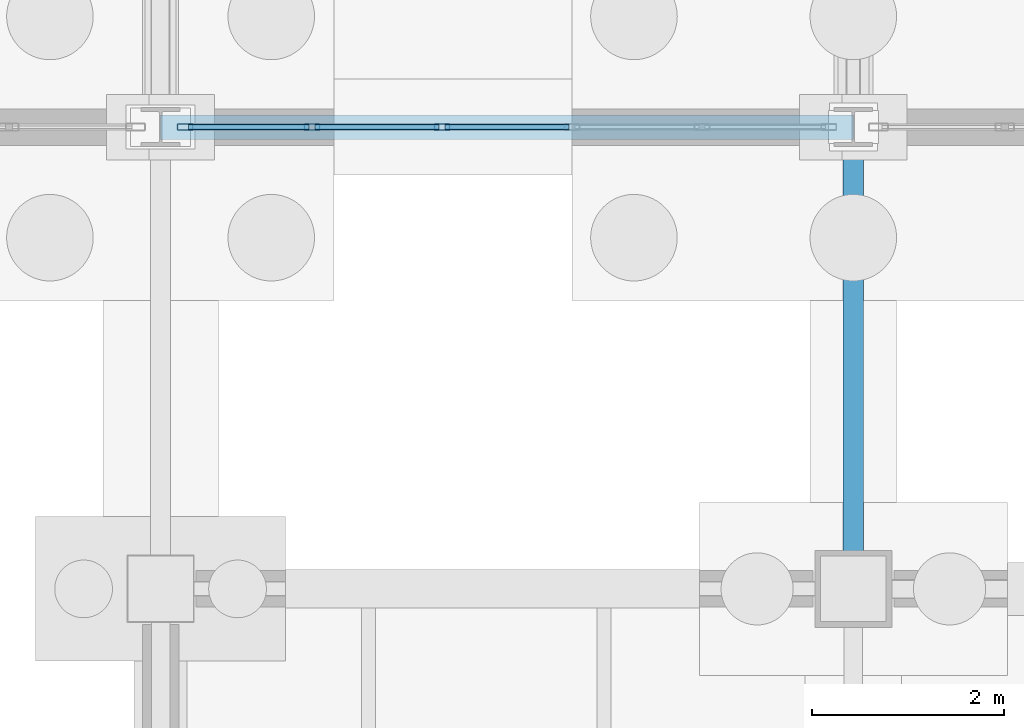
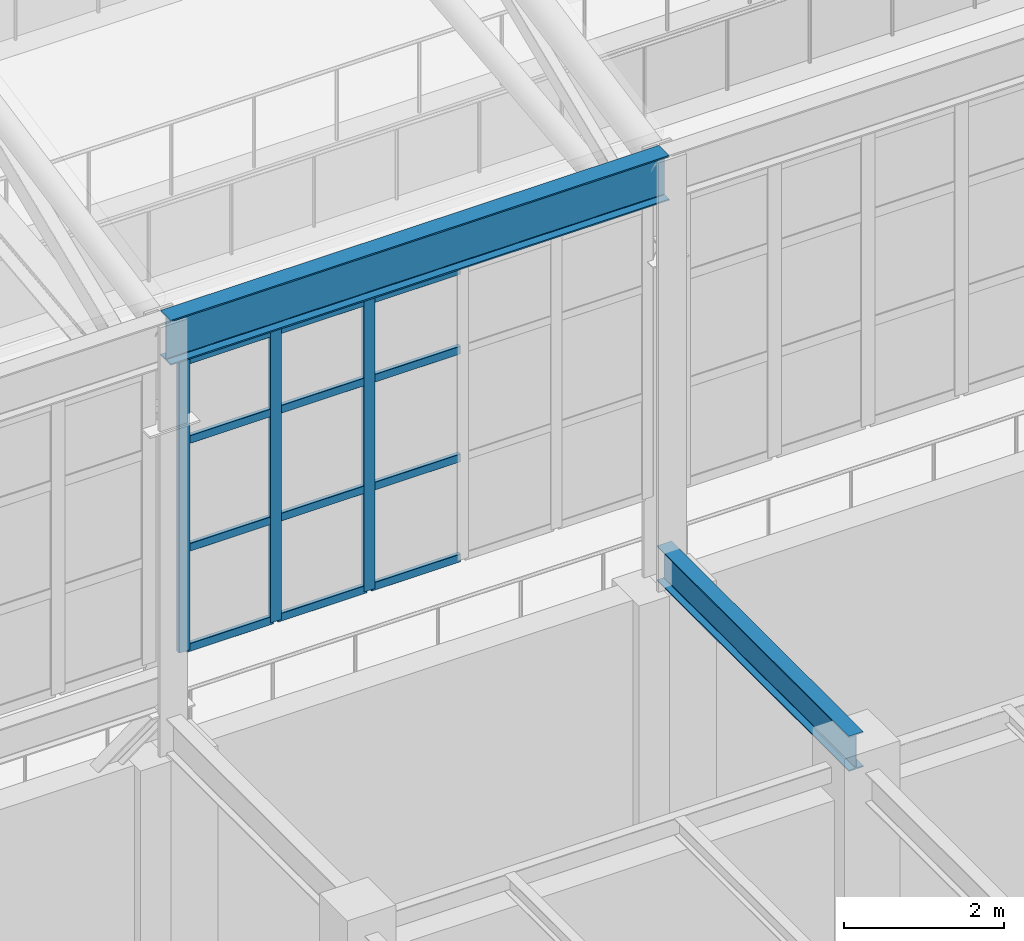
# One storey, part 136 of 293: 15 members, 2 beams, 1 element without a shape of its own.
"""IFC4 building model written with IfcOpenShell, lengths in metres."""

from ifc_helpers import new_model, si_unit, direction, frame, origin, origin_2d, place, context, subcontext, project, spatial, hollow_rectangle, i_section, extrude, material, layer, layer_set, material_profile, profile_set, type_object, element, aggregate, save


model = new_model("IFC4")

# Units and contexts
model_context = context("Model", 3, precision=1e-05, world=origin(), true_north=direction((0.0, 1.0)))
body_context = subcontext(model_context, "Body", "Model", "MODEL_VIEW")
ifc_project = project(units=[si_unit("LENGTHUNIT", "METRE"), si_unit("AREAUNIT", "SQUARE_METRE"), si_unit("VOLUMEUNIT", "CUBIC_METRE"), si_unit("PLANEANGLEUNIT", "RADIAN"), si_unit("MASSUNIT", "GRAM", prefix="KILO")], contexts=[model_context])

# Site, building, storey
site_placement = place(None, origin())
site = spatial("IfcSite", under=ifc_project, at=site_placement, CompositionType="ELEMENT")
building_placement = place(site_placement, origin())
building = spatial("IfcBuilding", under=site, at=building_placement, Name="Kemerveld Promenade Tramway Depot", CompositionType="ELEMENT")
storey_placement = place(building_placement, origin())
storey = spatial("IfcBuildingStorey", under=building, at=storey_placement, Name="L00", CompositionType="ELEMENT", Elevation=0.0)

# Beams
ifc_material_1 = material(Name="Steel S355", Category="steel")
ifc_material_profile_1 = material_profile(ifc_material_1, i_section(OverallWidth=0.25439453125, OverallDepth=0.6875, WebThickness=0.01318359375, FlangeThickness=0.02099609375, FilletRadius=0.01513671875, at=origin_2d()), Name="686x254x152 UB")
ifc_profile_set_1 = profile_set([ifc_material_profile_1], Name="Steel S355")
beam_type_1 = type_object("IfcBeamType", Name="BM-G03", PredefinedType="BEAM", material=ifc_profile_set_1)
beam_1_placement = place(storey_placement, frame((115.199951171875, 84.0, 11.056396484375), z_axis=(1.0, 0.0, 0.0), x_axis=(0.0, 1.0, 0.0)))
element("IfcBeam", 1, at=beam_1_placement, inside=storey, type_object=beam_type_1, Name="BM-SHED-EAVE-N-17", PredefinedType="BEAM", context=body_context, shape_type="SweptSolid", body=[
    extrude(i_section(OverallWidth=0.25439453125, OverallDepth=0.6875, WebThickness=0.01318359375, FlangeThickness=0.02099609375, FilletRadius=0.01513671875, at=origin_2d()), origin(), (0.0, 0.0, 1.0), 7.199951171875),
])
ifc_material_profile_2 = material_profile(ifc_material_1, i_section(OverallWidth=0.2099609375, OverallDepth=0.53662109375, WebThickness=0.0107421875, FlangeThickness=0.017333984375, FilletRadius=0.0126953125, at=origin_2d()), Name="533x210x101 UB")
ifc_profile_set_2 = profile_set([ifc_material_profile_2], Name="Steel S355")
beam_type_2 = type_object("IfcBeamType", Name="BM-G05", PredefinedType="BEAM", material=ifc_profile_set_2)
beam_2_placement = place(storey_placement, frame((122.39990234375, 79.199951171875, 5.131591796875), z_axis=(0.0, 1.0, 0.0), x_axis=(-1.0, 0.0, 0.0)))
element("IfcBeam", 2, at=beam_2_placement, inside=storey, type_object=beam_type_2, Name="BM-LINK-18-MN", PredefinedType="BEAM", context=body_context, shape_type="SweptSolid", body=[
    extrude(i_section(OverallWidth=0.2099609375, OverallDepth=0.53662109375, WebThickness=0.0107421875, FlangeThickness=0.017333984375, FilletRadius=0.0126953125, at=origin_2d()), origin(), (0.0, 0.0, 1.0), 4.800048828125),
])

# Curtain wall, members
ifc_material_2 = material(Name="Bronze anodised aluminium and solar glass", Category="aluminium")
ifc_layer = layer(ifc_material_2, 0.159912109375)
ifc_layer_set = layer_set([ifc_layer], Name="CW-SYS-01")
curtain_wall_type = type_object("IfcCurtainWallType", Name="CW-SYS-01", PredefinedType="USERDEFINED", material=ifc_layer_set)
curtain_wall_placement = place(storey_placement, origin())
curtain_wall = element("IfcCurtainWall", 3, at=curtain_wall_placement, inside=storey, type_object=curtain_wall_type, Name="CW-V1-S-12", ObjectType="GLAZED_CURTAIN_WALL", PredefinedType="USERDEFINED")
ifc_material_3 = material(Name="Bronze anodised aluminium", Category="aluminium")
ifc_material_profile_3 = material_profile(ifc_material_3, hollow_rectangle(XDim=0.06494140625, YDim=0.159912109375, WallThickness=0.00390625, InnerFilletRadius=0.001953125, OuterFilletRadius=0.00390625, at=origin_2d()), Name="CW-MUL-160x65")
ifc_profile_set_3 = profile_set([ifc_material_profile_3], Name="Bronze anodised aluminium")
member_type_1 = type_object("IfcMemberType", Name="CW-MUL-A", PredefinedType="MULLION", material=ifc_profile_set_3)
member_1_placement = place(storey_placement, frame((118.124755859375, 84.0, 6.199951171875), z_axis=(0.0, 0.0, 1.0), x_axis=(0.0, -1.0, 0.0)))
member_1 = element("IfcMember", 4, at=member_1_placement, type_object=member_type_1, Name="CW01 mullion 4", PredefinedType="MULLION", context=body_context, shape_type="SweptSolid", body=[
    extrude(hollow_rectangle(XDim=0.06494140625, YDim=0.159912109375, WallThickness=0.00390625, InnerFilletRadius=0.001953125, OuterFilletRadius=0.00390625, at=origin_2d()), origin(), (0.0, 0.0, 1.0), 4.449951171875),
])
member_2_placement = place(storey_placement, frame((116.77392578125, 84.0, 6.199951171875), z_axis=(0.0, 0.0, 1.0), x_axis=(0.0, -1.0, 0.0)))
member_2 = element("IfcMember", 5, at=member_2_placement, type_object=member_type_1, Name="CW01 mullion 5", PredefinedType="MULLION", context=body_context, shape_type="SweptSolid", body=[
    extrude(hollow_rectangle(XDim=0.06494140625, YDim=0.159912109375, WallThickness=0.00390625, InnerFilletRadius=0.001953125, OuterFilletRadius=0.00390625, at=origin_2d()), origin(), (0.0, 0.0, 1.0), 4.449951171875),
])
member_3_placement = place(storey_placement, frame((115.455810546875, 84.0, 6.199951171875), z_axis=(0.0, 0.0, 1.0), x_axis=(0.0, -1.0, 0.0)))
member_3 = element("IfcMember", 6, at=member_3_placement, type_object=member_type_1, Name="CW01 mullion 6", PredefinedType="MULLION", context=body_context, shape_type="SweptSolid", body=[
    extrude(hollow_rectangle(XDim=0.06494140625, YDim=0.159912109375, WallThickness=0.00390625, InnerFilletRadius=0.001953125, OuterFilletRadius=0.00390625, at=origin_2d()), origin(), (0.0, 0.0, 1.0), 4.449951171875),
])
ifc_material_profile_4 = material_profile(ifc_material_3, hollow_rectangle(XDim=0.06005859375, YDim=0.1201171875, WallThickness=0.00390625, InnerFilletRadius=0.001953125, OuterFilletRadius=0.00390625, at=origin_2d()), Name="CW-TRN-120x60")
ifc_profile_set_4 = profile_set([ifc_material_profile_4], Name="Bronze anodised aluminium")
member_type_2 = type_object("IfcMemberType", Name="CW-TRN-A", PredefinedType="USERDEFINED", material=ifc_profile_set_4)
member_4_placement = place(storey_placement, frame((119.44287109375, 84.0, 6.22998046875), z_axis=(-1.0, 0.0, 0.0), x_axis=(0.0, -1.0, 0.0)))
member_4 = element("IfcMember", 7, at=member_4_placement, type_object=member_type_2, Name="CW01 transom 3.1", ObjectType="TRANSOM", PredefinedType="USERDEFINED", context=body_context, shape_type="SweptSolid", body=[
    extrude(hollow_rectangle(XDim=0.06005859375, YDim=0.1201171875, WallThickness=0.00390625, InnerFilletRadius=0.001953125, OuterFilletRadius=0.00390625, at=origin_2d()), origin(), (0.0, 0.0, 1.0), 1.28564453125),
])
member_5_placement = place(storey_placement, frame((119.44287109375, 84.0, 7.758056640625), z_axis=(-1.0, 0.0, 0.0), x_axis=(0.0, -1.0, 0.0)))
member_5 = element("IfcMember", 8, at=member_5_placement, type_object=member_type_2, Name="CW01 transom 3.2", ObjectType="TRANSOM", PredefinedType="USERDEFINED", context=body_context, shape_type="SweptSolid", body=[
    extrude(hollow_rectangle(XDim=0.06005859375, YDim=0.1201171875, WallThickness=0.00390625, InnerFilletRadius=0.001953125, OuterFilletRadius=0.00390625, at=origin_2d()), origin(), (0.0, 0.0, 1.0), 1.28564453125),
])
member_6_placement = place(storey_placement, frame((119.44287109375, 84.0, 9.404052734375), z_axis=(-1.0, 0.0, 0.0), x_axis=(0.0, -1.0, 0.0)))
member_6 = element("IfcMember", 9, at=member_6_placement, type_object=member_type_2, Name="CW01 transom 3.3", ObjectType="TRANSOM", PredefinedType="USERDEFINED", context=body_context, shape_type="SweptSolid", body=[
    extrude(hollow_rectangle(XDim=0.06005859375, YDim=0.1201171875, WallThickness=0.00390625, InnerFilletRadius=0.001953125, OuterFilletRadius=0.00390625, at=origin_2d()), origin(), (0.0, 0.0, 1.0), 1.28564453125),
])
member_7_placement = place(storey_placement, frame((119.44287109375, 84.0, 10.6201171875), z_axis=(-1.0, 0.0, 0.0), x_axis=(0.0, -1.0, 0.0)))
member_7 = element("IfcMember", 10, at=member_7_placement, type_object=member_type_2, Name="CW01 transom 3.4", ObjectType="TRANSOM", PredefinedType="USERDEFINED", context=body_context, shape_type="SweptSolid", body=[
    extrude(hollow_rectangle(XDim=0.06005859375, YDim=0.1201171875, WallThickness=0.00390625, InnerFilletRadius=0.001953125, OuterFilletRadius=0.00390625, at=origin_2d()), origin(), (0.0, 0.0, 1.0), 1.28564453125),
])
member_8_placement = place(storey_placement, frame((118.092041015625, 84.0, 6.22998046875), z_axis=(-1.0, 0.0, 0.0), x_axis=(0.0, -1.0, 0.0)))
member_8 = element("IfcMember", 11, at=member_8_placement, type_object=member_type_2, Name="CW01 transom 4.1", ObjectType="TRANSOM", PredefinedType="USERDEFINED", context=body_context, shape_type="SweptSolid", body=[
    extrude(hollow_rectangle(XDim=0.06005859375, YDim=0.1201171875, WallThickness=0.00390625, InnerFilletRadius=0.001953125, OuterFilletRadius=0.00390625, at=origin_2d()), origin(), (0.0, 0.0, 1.0), 1.28564453125),
])
member_9_placement = place(storey_placement, frame((118.092041015625, 84.0, 7.758056640625), z_axis=(-1.0, 0.0, 0.0), x_axis=(0.0, -1.0, 0.0)))
member_9 = element("IfcMember", 12, at=member_9_placement, type_object=member_type_2, Name="CW01 transom 4.2", ObjectType="TRANSOM", PredefinedType="USERDEFINED", context=body_context, shape_type="SweptSolid", body=[
    extrude(hollow_rectangle(XDim=0.06005859375, YDim=0.1201171875, WallThickness=0.00390625, InnerFilletRadius=0.001953125, OuterFilletRadius=0.00390625, at=origin_2d()), origin(), (0.0, 0.0, 1.0), 1.28564453125),
])
member_10_placement = place(storey_placement, frame((118.092041015625, 84.0, 9.404052734375), z_axis=(-1.0, 0.0, 0.0), x_axis=(0.0, -1.0, 0.0)))
member_10 = element("IfcMember", 13, at=member_10_placement, type_object=member_type_2, Name="CW01 transom 4.3", ObjectType="TRANSOM", PredefinedType="USERDEFINED", context=body_context, shape_type="SweptSolid", body=[
    extrude(hollow_rectangle(XDim=0.06005859375, YDim=0.1201171875, WallThickness=0.00390625, InnerFilletRadius=0.001953125, OuterFilletRadius=0.00390625, at=origin_2d()), origin(), (0.0, 0.0, 1.0), 1.28564453125),
])
member_11_placement = place(storey_placement, frame((118.092041015625, 84.0, 10.6201171875), z_axis=(-1.0, 0.0, 0.0), x_axis=(0.0, -1.0, 0.0)))
member_11 = element("IfcMember", 14, at=member_11_placement, type_object=member_type_2, Name="CW01 transom 4.4", ObjectType="TRANSOM", PredefinedType="USERDEFINED", context=body_context, shape_type="SweptSolid", body=[
    extrude(hollow_rectangle(XDim=0.06005859375, YDim=0.1201171875, WallThickness=0.00390625, InnerFilletRadius=0.001953125, OuterFilletRadius=0.00390625, at=origin_2d()), origin(), (0.0, 0.0, 1.0), 1.28564453125),
])
member_12_placement = place(storey_placement, frame((116.741455078125, 84.0, 6.22998046875), z_axis=(-1.0, 0.0, 0.0), x_axis=(0.0, -1.0, 0.0)))
member_12 = element("IfcMember", 15, at=member_12_placement, type_object=member_type_2, Name="CW01 transom 5.1", ObjectType="TRANSOM", PredefinedType="USERDEFINED", context=body_context, shape_type="SweptSolid", body=[
    extrude(hollow_rectangle(XDim=0.06005859375, YDim=0.1201171875, WallThickness=0.00390625, InnerFilletRadius=0.001953125, OuterFilletRadius=0.00390625, at=origin_2d()), origin(), (0.0, 0.0, 1.0), 1.253173828125),
])
member_13_placement = place(storey_placement, frame((116.741455078125, 84.0, 7.758056640625), z_axis=(-1.0, 0.0, 0.0), x_axis=(0.0, -1.0, 0.0)))
member_13 = element("IfcMember", 16, at=member_13_placement, type_object=member_type_2, Name="CW01 transom 5.2", ObjectType="TRANSOM", PredefinedType="USERDEFINED", context=body_context, shape_type="SweptSolid", body=[
    extrude(hollow_rectangle(XDim=0.06005859375, YDim=0.1201171875, WallThickness=0.00390625, InnerFilletRadius=0.001953125, OuterFilletRadius=0.00390625, at=origin_2d()), origin(), (0.0, 0.0, 1.0), 1.253173828125),
])
member_14_placement = place(storey_placement, frame((116.741455078125, 84.0, 9.404052734375), z_axis=(-1.0, 0.0, 0.0), x_axis=(0.0, -1.0, 0.0)))
member_14 = element("IfcMember", 17, at=member_14_placement, type_object=member_type_2, Name="CW01 transom 5.3", ObjectType="TRANSOM", PredefinedType="USERDEFINED", context=body_context, shape_type="SweptSolid", body=[
    extrude(hollow_rectangle(XDim=0.06005859375, YDim=0.1201171875, WallThickness=0.00390625, InnerFilletRadius=0.001953125, OuterFilletRadius=0.00390625, at=origin_2d()), origin(), (0.0, 0.0, 1.0), 1.253173828125),
])
member_15_placement = place(storey_placement, frame((116.741455078125, 84.0, 10.6201171875), z_axis=(-1.0, 0.0, 0.0), x_axis=(0.0, -1.0, 0.0)))
member_15 = element("IfcMember", 18, at=member_15_placement, type_object=member_type_2, Name="CW01 transom 5.4", ObjectType="TRANSOM", PredefinedType="USERDEFINED", context=body_context, shape_type="SweptSolid", body=[
    extrude(hollow_rectangle(XDim=0.06005859375, YDim=0.1201171875, WallThickness=0.00390625, InnerFilletRadius=0.001953125, OuterFilletRadius=0.00390625, at=origin_2d()), origin(), (0.0, 0.0, 1.0), 1.253173828125),
])
aggregate(curtain_wall, [member_1, member_2, member_3, member_4, member_5, member_6, member_7, member_8, member_9, member_10, member_11, member_12, member_13, member_14, member_15])

save(model, "model.ifc")
